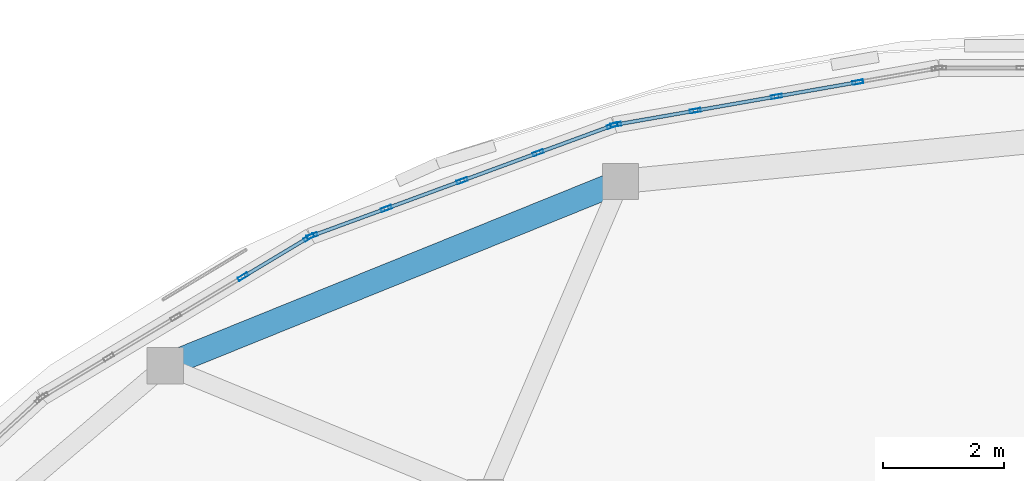
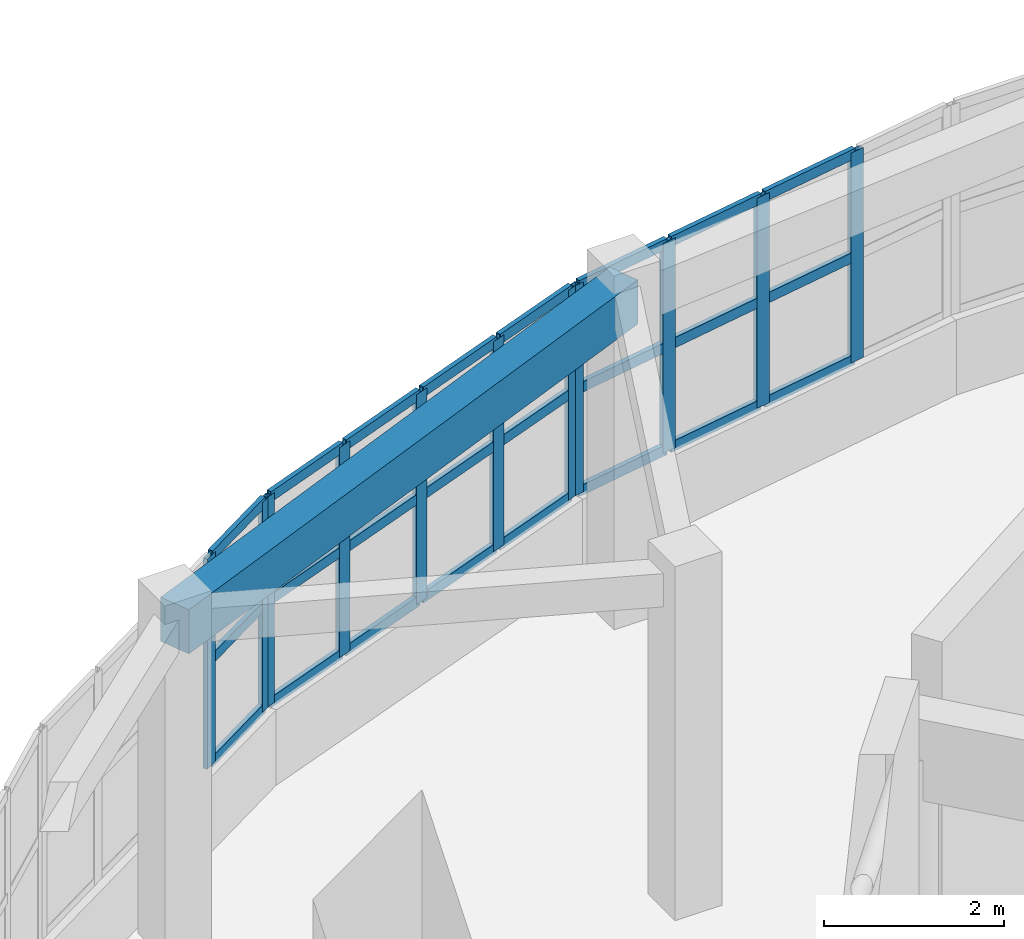
# One storey, part 31 of 69: 35 members, 1 beam, 3 elements without a shape of their own.
"""IFC4 building model written with IfcOpenShell, lengths in metres."""

from ifc_helpers import new_model, si_unit, direction, frame, origin, origin_2d, place, context, subcontext, project, spatial, rectangle, hollow_rectangle, extrude, material, layer, layer_set, material_profile, profile_set, type_object, element, aggregate, save


model = new_model("IFC4")

# Units and contexts
model_context = context("Model", 3, precision=1e-05, world=origin(), true_north=direction((0.0, 1.0)))
body_context = subcontext(model_context, "Body", "Model", "MODEL_VIEW")
ifc_project = project(units=[si_unit("LENGTHUNIT", "METRE"), si_unit("AREAUNIT", "SQUARE_METRE"), si_unit("VOLUMEUNIT", "CUBIC_METRE"), si_unit("PLANEANGLEUNIT", "RADIAN"), si_unit("MASSUNIT", "GRAM", prefix="KILO")], contexts=[model_context])

# Site, building, storey
site_placement = place(None, origin())
site = spatial("IfcSite", under=ifc_project, at=site_placement, CompositionType="ELEMENT")
building_placement = place(site_placement, origin())
building = spatial("IfcBuilding", under=site, at=building_placement, Name="Pelvatis Terrace Science Centre", CompositionType="ELEMENT")
storey_placement = place(building_placement, frame((0.0, 0.0, 15.0)))
storey = spatial("IfcBuildingStorey", under=building, at=storey_placement, Name="L03", CompositionType="ELEMENT", Elevation=15.0)

# Beam
ifc_material_1 = material(Name="Concrete C35/45", Category="concrete")
ifc_material_profile_1 = material_profile(ifc_material_1, rectangle(XDim=0.39990234375, YDim=0.60009765625, at=origin_2d()), Name="RC-BM 400x600")
ifc_profile_set_1 = profile_set([ifc_material_profile_1], Name="Concrete C35/45")
beam_type = type_object("IfcBeamType", Name="BM-RC-400x600", PredefinedType="BEAM", material=ifc_profile_set_1)
beam_placement = place(storey_placement, frame((102.095458984375, 103.65673828125, 4.25), z_axis=(-0.926974722929, -0.375123796967, 0.0), x_axis=(0.375123796967, -0.926974722929, 0.0)))
element("IfcBeam", 1, at=beam_placement, inside=storey, type_object=beam_type, Name="Beam BM-L03-3019", PredefinedType="BEAM", context=body_context, shape_type="SweptSolid", body=[
    extrude(rectangle(XDim=0.39990234375, YDim=0.60009765625, at=origin_2d()), origin(), (0.0, 0.0, 1.0), 8.11181640625),
])

# Curtain wall, members
ifc_material_2 = material(Name="Bronze-anodised aluminium and laminated glass", Category="aluminium")
ifc_layer = layer(ifc_material_2, 0.179931640625)
ifc_layer_set = layer_set([ifc_layer], Name="Bronze-anodised aluminium and laminated glass")
curtain_wall_type = type_object("IfcCurtainWallType", Name="CW-RIBBON-A", PredefinedType="NOTDEFINED", material=ifc_layer_set)
curtain_wall_1_placement = place(storey_placement, origin())
curtain_wall_1 = element("IfcCurtainWall", 2, at=curtain_wall_1_placement, inside=storey, type_object=curtain_wall_type, Name="Ribbon curtain wall CW-191 (L03)", PredefinedType="NOTDEFINED")
ifc_material_3 = material(Name="Bronze-anodised aluminium 6063-T6", Category="aluminium")
ifc_material_profile_2 = material_profile(ifc_material_3, hollow_rectangle(XDim=0.06005859375, YDim=0.179931640625, WallThickness=0.00390625, at=origin_2d()), Name="ALU-MUL 60x180")
ifc_profile_set_2 = profile_set([ifc_material_profile_2], Name="Bronze-anodised aluminium 6063-T6")
member_type_1 = type_object("IfcMemberType", Name="CWM-60x180", PredefinedType="MULLION", material=ifc_profile_set_2)
member_1_placement = place(storey_placement, frame((106.01416015625, 105.296142578125, 1.02001953125), z_axis=(0.0, 0.0, 1.0), x_axis=(0.172671428067, -0.984979480969, 0.0)))
member_1 = element("IfcMember", 3, at=member_1_placement, type_object=member_type_1, Name="CW-191 mullion 2", PredefinedType="MULLION", context=body_context, shape_type="SweptSolid", body=[
    extrude(hollow_rectangle(XDim=0.06005859375, YDim=0.179931640625, WallThickness=0.00390625, at=origin_2d()), origin(), (0.0, 0.0, 1.0), 2.85009765625),
])
member_2_placement = place(storey_placement, frame((104.672119140625, 105.060791015625, 1.02001953125), z_axis=(0.0, 0.0, 1.0), x_axis=(0.172671428067, -0.984979480969, 0.0)))
member_2 = element("IfcMember", 4, at=member_2_placement, type_object=member_type_1, Name="CW-191 mullion 3", PredefinedType="MULLION", context=body_context, shape_type="SweptSolid", body=[
    extrude(hollow_rectangle(XDim=0.06005859375, YDim=0.179931640625, WallThickness=0.00390625, at=origin_2d()), origin(), (0.0, 0.0, 1.0), 2.85009765625),
])
member_3_placement = place(storey_placement, frame((103.330322265625, 104.82568359375, 1.02001953125), z_axis=(0.0, 0.0, 1.0), x_axis=(0.172671428067, -0.984979480969, 0.0)))
member_3 = element("IfcMember", 5, at=member_3_placement, type_object=member_type_1, Name="CW-191 mullion 4", PredefinedType="MULLION", context=body_context, shape_type="SweptSolid", body=[
    extrude(hollow_rectangle(XDim=0.06005859375, YDim=0.179931640625, WallThickness=0.00390625, at=origin_2d()), origin(), (0.0, 0.0, 1.0), 2.85009765625),
])
member_4_placement = place(storey_placement, frame((102.017822265625, 104.595458984375, 1.02001953125), z_axis=(0.0, 0.0, 1.0), x_axis=(0.172671428067, -0.984979480969, 0.0)))
member_4 = element("IfcMember", 6, at=member_4_placement, type_object=member_type_1, Name="CW-191 mullion 5", PredefinedType="MULLION", context=body_context, shape_type="SweptSolid", body=[
    extrude(hollow_rectangle(XDim=0.06005859375, YDim=0.179931640625, WallThickness=0.00390625, at=origin_2d()), origin(), (0.0, 0.0, 1.0), 2.85009765625),
])

curtain_wall_2_placement = place(storey_placement, origin())
curtain_wall_2 = element("IfcCurtainWall", 7, at=curtain_wall_2_placement, inside=storey, type_object=curtain_wall_type, Name="Ribbon curtain wall CW-192 (L03)", PredefinedType="NOTDEFINED")
member_5_placement = place(storey_placement, frame((101.960205078125, 104.580078125, 1.02001953125), z_axis=(0.0, 0.0, 1.0), x_axis=(0.34471510549, -0.938707353783, 0.0)))
member_5 = element("IfcMember", 8, at=member_5_placement, type_object=member_type_1, Name="CW-192 mullion 1", PredefinedType="MULLION", context=body_context, shape_type="SweptSolid", body=[
    extrude(hollow_rectangle(XDim=0.06005859375, YDim=0.179931640625, WallThickness=0.00390625, at=origin_2d()), origin(), (0.0, 0.0, 1.0), 2.85009765625),
])
member_6_placement = place(storey_placement, frame((100.73486328125, 104.130126953125, 1.02001953125), z_axis=(0.0, 0.0, 1.0), x_axis=(0.34471510549, -0.938707353783, 0.0)))
member_6 = element("IfcMember", 9, at=member_6_placement, type_object=member_type_1, Name="CW-192 mullion 2", PredefinedType="MULLION", context=body_context, shape_type="SweptSolid", body=[
    extrude(hollow_rectangle(XDim=0.06005859375, YDim=0.179931640625, WallThickness=0.00390625, at=origin_2d()), origin(), (0.0, 0.0, 1.0), 2.85009765625),
])
member_7_placement = place(storey_placement, frame((99.481689453125, 103.669921875, 1.02001953125), z_axis=(0.0, 0.0, 1.0), x_axis=(0.34471510549, -0.938707353783, 0.0)))
member_7 = element("IfcMember", 10, at=member_7_placement, type_object=member_type_1, Name="CW-192 mullion 3", PredefinedType="MULLION", context=body_context, shape_type="SweptSolid", body=[
    extrude(hollow_rectangle(XDim=0.06005859375, YDim=0.179931640625, WallThickness=0.00390625, at=origin_2d()), origin(), (0.0, 0.0, 1.0), 2.85009765625),
])
member_8_placement = place(storey_placement, frame((98.228271484375, 103.209716796875, 1.02001953125), z_axis=(0.0, 0.0, 1.0), x_axis=(0.34471510549, -0.938707353783, 0.0)))
member_8 = element("IfcMember", 11, at=member_8_placement, type_object=member_type_1, Name="CW-192 mullion 4", PredefinedType="MULLION", context=body_context, shape_type="SweptSolid", body=[
    extrude(hollow_rectangle(XDim=0.06005859375, YDim=0.179931640625, WallThickness=0.00390625, at=origin_2d()), origin(), (0.0, 0.0, 1.0), 2.85009765625),
])
member_9_placement = place(storey_placement, frame((97.003173828125, 102.759765625, 1.02001953125), z_axis=(0.0, 0.0, 1.0), x_axis=(0.34471510549, -0.938707353783, 0.0)))
member_9 = element("IfcMember", 12, at=member_9_placement, type_object=member_type_1, Name="CW-192 mullion 5", PredefinedType="MULLION", context=body_context, shape_type="SweptSolid", body=[
    extrude(hollow_rectangle(XDim=0.06005859375, YDim=0.179931640625, WallThickness=0.00390625, at=origin_2d()), origin(), (0.0, 0.0, 1.0), 2.85009765625),
])

curtain_wall_3_placement = place(storey_placement, origin())
curtain_wall_3 = element("IfcCurtainWall", 13, at=curtain_wall_3_placement, inside=storey, type_object=curtain_wall_type, Name="Ribbon curtain wall CW-193 (L03)", PredefinedType="NOTDEFINED")
member_10_placement = place(storey_placement, frame((96.94921875, 102.73388671875, 1.02001953125), z_axis=(0.0, 0.0, 1.0), x_axis=(0.51399559594, -0.857792823096, 0.0)))
member_10 = element("IfcMember", 14, at=member_10_placement, type_object=member_type_1, Name="CW-193 mullion 1", PredefinedType="MULLION", context=body_context, shape_type="SweptSolid", body=[
    extrude(hollow_rectangle(XDim=0.06005859375, YDim=0.179931640625, WallThickness=0.00390625, at=origin_2d()), origin(), (0.0, 0.0, 1.0), 2.85009765625),
])
member_11_placement = place(storey_placement, frame((95.864990234375, 102.084228515625, 1.02001953125), z_axis=(0.0, 0.0, 1.0), x_axis=(0.51399559594, -0.857792823096, 0.0)))
member_11 = element("IfcMember", 15, at=member_11_placement, type_object=member_type_1, Name="CW-193 mullion 2", PredefinedType="MULLION", context=body_context, shape_type="SweptSolid", body=[
    extrude(hollow_rectangle(XDim=0.06005859375, YDim=0.179931640625, WallThickness=0.00390625, at=origin_2d()), origin(), (0.0, 0.0, 1.0), 2.85009765625),
])

# Member
ifc_material_4 = material(Name="Bronze-anodised aluminium 6063-T6", Category="aluminium")
ifc_material_profile_3 = material_profile(ifc_material_4, hollow_rectangle(XDim=0.06005859375, YDim=0.139892578125, WallThickness=0.00390625, at=origin_2d()), Name="ALU-TRN 60x140")
ifc_profile_set_3 = profile_set([ifc_material_profile_3], Name="Bronze-anodised aluminium 6063-T6")
member_type_2 = type_object("IfcMemberType", Name="CWT-60x140", PredefinedType="USERDEFINED", material=ifc_profile_set_3)
member_12_placement = place(storey_placement, frame((105.984619140625, 105.291015625, 1.050048828125), z_axis=(-0.984986673358, -0.172630395083, 0.0), x_axis=(0.172630395083, -0.984986673358, 0.0)))
member_12 = element("IfcMember", 16, at=member_12_placement, type_object=member_type_2, Name="CW-191 transom 2.1", ObjectType="TRANSOM", PredefinedType="USERDEFINED", context=body_context, shape_type="SweptSolid", body=[
    extrude(hollow_rectangle(XDim=0.06005859375, YDim=0.139892578125, WallThickness=0.00390625, at=origin_2d()), origin(), (0.0, 0.0, 1.0), 1.302490234375),
])

member_13_placement = place(storey_placement, frame((105.984619140625, 105.291015625, 2.445068359375), z_axis=(-0.984986673358, -0.172630395083, 0.0), x_axis=(0.172630395083, -0.984986673358, 0.0)))
member_13 = element("IfcMember", 17, at=member_13_placement, type_object=member_type_2, Name="CW-191 transom 2.2", ObjectType="TRANSOM", PredefinedType="USERDEFINED", context=body_context, shape_type="SweptSolid", body=[
    extrude(hollow_rectangle(XDim=0.06005859375, YDim=0.139892578125, WallThickness=0.00390625, at=origin_2d()), origin(), (0.0, 0.0, 1.0), 1.302490234375),
])

member_14_placement = place(storey_placement, frame((105.984619140625, 105.291015625, 3.840087890625), z_axis=(-0.984986673358, -0.172630395083, 0.0), x_axis=(0.172630395083, -0.984986673358, 0.0)))
member_14 = element("IfcMember", 18, at=member_14_placement, type_object=member_type_2, Name="CW-191 transom 2.3", ObjectType="TRANSOM", PredefinedType="USERDEFINED", context=body_context, shape_type="SweptSolid", body=[
    extrude(hollow_rectangle(XDim=0.06005859375, YDim=0.139892578125, WallThickness=0.00390625, at=origin_2d()), origin(), (0.0, 0.0, 1.0), 1.302490234375),
])

member_15_placement = place(storey_placement, frame((104.642578125, 105.0556640625, 1.050048828125), z_axis=(-0.984981085924, -0.17266227258, 0.0), x_axis=(0.17266227258, -0.984981085924, 0.0)))
member_15 = element("IfcMember", 19, at=member_15_placement, type_object=member_type_2, Name="CW-191 transom 3.1", ObjectType="TRANSOM", PredefinedType="USERDEFINED", context=body_context, shape_type="SweptSolid", body=[
    extrude(hollow_rectangle(XDim=0.06005859375, YDim=0.139892578125, WallThickness=0.00390625, at=origin_2d()), origin(), (0.0, 0.0, 1.0), 1.30224609375),
])

member_16_placement = place(storey_placement, frame((104.642578125, 105.0556640625, 2.445068359375), z_axis=(-0.984981085924, -0.17266227258, 0.0), x_axis=(0.17266227258, -0.984981085924, 0.0)))
member_16 = element("IfcMember", 20, at=member_16_placement, type_object=member_type_2, Name="CW-191 transom 3.2", ObjectType="TRANSOM", PredefinedType="USERDEFINED", context=body_context, shape_type="SweptSolid", body=[
    extrude(hollow_rectangle(XDim=0.06005859375, YDim=0.139892578125, WallThickness=0.00390625, at=origin_2d()), origin(), (0.0, 0.0, 1.0), 1.30224609375),
])

member_17_placement = place(storey_placement, frame((104.642578125, 105.0556640625, 3.840087890625), z_axis=(-0.984981085924, -0.17266227258, 0.0), x_axis=(0.17266227258, -0.984981085924, 0.0)))
member_17 = element("IfcMember", 21, at=member_17_placement, type_object=member_type_2, Name="CW-191 transom 3.3", ObjectType="TRANSOM", PredefinedType="USERDEFINED", context=body_context, shape_type="SweptSolid", body=[
    extrude(hollow_rectangle(XDim=0.06005859375, YDim=0.139892578125, WallThickness=0.00390625, at=origin_2d()), origin(), (0.0, 0.0, 1.0), 1.30224609375),
])

member_18_placement = place(storey_placement, frame((103.30078125, 104.820556640625, 1.050048828125), z_axis=(-0.984979930801, -0.172668862042, 0.0), x_axis=(0.172668862042, -0.984979930801, 0.0)))
member_18 = element("IfcMember", 22, at=member_18_placement, type_object=member_type_2, Name="CW-191 transom 4.1", ObjectType="TRANSOM", PredefinedType="USERDEFINED", context=body_context, shape_type="SweptSolid", body=[
    extrude(hollow_rectangle(XDim=0.06005859375, YDim=0.139892578125, WallThickness=0.00390625, at=origin_2d()), origin(), (0.0, 0.0, 1.0), 1.2724609375),
])

member_19_placement = place(storey_placement, frame((103.30078125, 104.820556640625, 2.445068359375), z_axis=(-0.984979930801, -0.172668862042, 0.0), x_axis=(0.172668862042, -0.984979930801, 0.0)))
member_19 = element("IfcMember", 23, at=member_19_placement, type_object=member_type_2, Name="CW-191 transom 4.2", ObjectType="TRANSOM", PredefinedType="USERDEFINED", context=body_context, shape_type="SweptSolid", body=[
    extrude(hollow_rectangle(XDim=0.06005859375, YDim=0.139892578125, WallThickness=0.00390625, at=origin_2d()), origin(), (0.0, 0.0, 1.0), 1.2724609375),
])

member_20_placement = place(storey_placement, frame((103.30078125, 104.820556640625, 3.840087890625), z_axis=(-0.984979930801, -0.172668862042, 0.0), x_axis=(0.172668862042, -0.984979930801, 0.0)))
member_20 = element("IfcMember", 24, at=member_20_placement, type_object=member_type_2, Name="CW-191 transom 4.3", ObjectType="TRANSOM", PredefinedType="USERDEFINED", context=body_context, shape_type="SweptSolid", body=[
    extrude(hollow_rectangle(XDim=0.06005859375, YDim=0.139892578125, WallThickness=0.00390625, at=origin_2d()), origin(), (0.0, 0.0, 1.0), 1.2724609375),
])

aggregate(curtain_wall_1, [member_1, member_2, member_3, member_4, member_12, member_13, member_14, member_15, member_16, member_17, member_18, member_19, member_20])

member_21_placement = place(storey_placement, frame((101.931884765625, 104.56982421875, 1.050048828125), z_axis=(-0.938637375111, -0.344905607441, 0.0), x_axis=(0.344905607441, -0.938637375111, 0.0)))
member_21 = element("IfcMember", 25, at=member_21_placement, type_object=member_type_2, Name="CW-192 transom 1.1", ObjectType="TRANSOM", PredefinedType="USERDEFINED", context=body_context, shape_type="SweptSolid", body=[
    extrude(hollow_rectangle(XDim=0.06005859375, YDim=0.139892578125, WallThickness=0.00390625, at=origin_2d()), origin(), (0.0, 0.0, 1.0), 1.2451171875),
])

member_22_placement = place(storey_placement, frame((101.931884765625, 104.56982421875, 2.445068359375), z_axis=(-0.938637375111, -0.344905607441, 0.0), x_axis=(0.344905607441, -0.938637375111, 0.0)))
member_22 = element("IfcMember", 26, at=member_22_placement, type_object=member_type_2, Name="CW-192 transom 1.2", ObjectType="TRANSOM", PredefinedType="USERDEFINED", context=body_context, shape_type="SweptSolid", body=[
    extrude(hollow_rectangle(XDim=0.06005859375, YDim=0.139892578125, WallThickness=0.00390625, at=origin_2d()), origin(), (0.0, 0.0, 1.0), 1.2451171875),
])

member_23_placement = place(storey_placement, frame((101.931884765625, 104.56982421875, 3.840087890625), z_axis=(-0.938637375111, -0.344905607441, 0.0), x_axis=(0.344905607441, -0.938637375111, 0.0)))
member_23 = element("IfcMember", 27, at=member_23_placement, type_object=member_type_2, Name="CW-192 transom 1.3", ObjectType="TRANSOM", PredefinedType="USERDEFINED", context=body_context, shape_type="SweptSolid", body=[
    extrude(hollow_rectangle(XDim=0.06005859375, YDim=0.139892578125, WallThickness=0.00390625, at=origin_2d()), origin(), (0.0, 0.0, 1.0), 1.2451171875),
])

member_24_placement = place(storey_placement, frame((100.706787109375, 104.119873046875, 1.050048828125), z_axis=(-0.938676082456, -0.344800249746, 0.0), x_axis=(0.344800249746, -0.938676082456, 0.0)))
member_24 = element("IfcMember", 28, at=member_24_placement, type_object=member_type_2, Name="CW-192 transom 2.1", ObjectType="TRANSOM", PredefinedType="USERDEFINED", context=body_context, shape_type="SweptSolid", body=[
    extrude(hollow_rectangle(XDim=0.06005859375, YDim=0.139892578125, WallThickness=0.00390625, at=origin_2d()), origin(), (0.0, 0.0, 1.0), 1.275146484375),
])

member_25_placement = place(storey_placement, frame((100.706787109375, 104.119873046875, 2.445068359375), z_axis=(-0.938676082456, -0.344800249746, 0.0), x_axis=(0.344800249746, -0.938676082456, 0.0)))
member_25 = element("IfcMember", 29, at=member_25_placement, type_object=member_type_2, Name="CW-192 transom 2.2", ObjectType="TRANSOM", PredefinedType="USERDEFINED", context=body_context, shape_type="SweptSolid", body=[
    extrude(hollow_rectangle(XDim=0.06005859375, YDim=0.139892578125, WallThickness=0.00390625, at=origin_2d()), origin(), (0.0, 0.0, 1.0), 1.275146484375),
])

member_26_placement = place(storey_placement, frame((100.706787109375, 104.119873046875, 3.840087890625), z_axis=(-0.938676082456, -0.344800249746, 0.0), x_axis=(0.344800249746, -0.938676082456, 0.0)))
member_26 = element("IfcMember", 30, at=member_26_placement, type_object=member_type_2, Name="CW-192 transom 2.3", ObjectType="TRANSOM", PredefinedType="USERDEFINED", context=body_context, shape_type="SweptSolid", body=[
    extrude(hollow_rectangle(XDim=0.06005859375, YDim=0.139892578125, WallThickness=0.00390625, at=origin_2d()), origin(), (0.0, 0.0, 1.0), 1.275146484375),
])

member_27_placement = place(storey_placement, frame((99.453369140625, 103.65966796875, 1.050048828125), z_axis=(-0.938653315442, -0.344862223809, 0.0), x_axis=(0.344862223809, -0.938653315442, 0.0)))
member_27 = element("IfcMember", 31, at=member_27_placement, type_object=member_type_2, Name="CW-192 transom 3.1", ObjectType="TRANSOM", PredefinedType="USERDEFINED", context=body_context, shape_type="SweptSolid", body=[
    extrude(hollow_rectangle(XDim=0.06005859375, YDim=0.139892578125, WallThickness=0.00390625, at=origin_2d()), origin(), (0.0, 0.0, 1.0), 1.27490234375),
])

member_28_placement = place(storey_placement, frame((99.453369140625, 103.65966796875, 2.445068359375), z_axis=(-0.938653315442, -0.344862223809, 0.0), x_axis=(0.344862223809, -0.938653315442, 0.0)))
member_28 = element("IfcMember", 32, at=member_28_placement, type_object=member_type_2, Name="CW-192 transom 3.2", ObjectType="TRANSOM", PredefinedType="USERDEFINED", context=body_context, shape_type="SweptSolid", body=[
    extrude(hollow_rectangle(XDim=0.06005859375, YDim=0.139892578125, WallThickness=0.00390625, at=origin_2d()), origin(), (0.0, 0.0, 1.0), 1.27490234375),
])

member_29_placement = place(storey_placement, frame((99.453369140625, 103.65966796875, 3.840087890625), z_axis=(-0.938653315442, -0.344862223809, 0.0), x_axis=(0.344862223809, -0.938653315442, 0.0)))
member_29 = element("IfcMember", 33, at=member_29_placement, type_object=member_type_2, Name="CW-192 transom 3.3", ObjectType="TRANSOM", PredefinedType="USERDEFINED", context=body_context, shape_type="SweptSolid", body=[
    extrude(hollow_rectangle(XDim=0.06005859375, YDim=0.139892578125, WallThickness=0.00390625, at=origin_2d()), origin(), (0.0, 0.0, 1.0), 1.27490234375),
])

member_30_placement = place(storey_placement, frame((98.2001953125, 103.19921875, 1.050048828125), z_axis=(-0.938724140353, -0.344669389879, 0.0), x_axis=(0.344669389879, -0.938724140353, 0.0)))
member_30 = element("IfcMember", 34, at=member_30_placement, type_object=member_type_2, Name="CW-192 transom 4.1", ObjectType="TRANSOM", PredefinedType="USERDEFINED", context=body_context, shape_type="SweptSolid", body=[
    extrude(hollow_rectangle(XDim=0.06005859375, YDim=0.139892578125, WallThickness=0.00390625, at=origin_2d()), origin(), (0.0, 0.0, 1.0), 1.245361328125),
])

member_31_placement = place(storey_placement, frame((98.2001953125, 103.19921875, 2.445068359375), z_axis=(-0.938724140353, -0.344669389879, 0.0), x_axis=(0.344669389879, -0.938724140353, 0.0)))
member_31 = element("IfcMember", 35, at=member_31_placement, type_object=member_type_2, Name="CW-192 transom 4.2", ObjectType="TRANSOM", PredefinedType="USERDEFINED", context=body_context, shape_type="SweptSolid", body=[
    extrude(hollow_rectangle(XDim=0.06005859375, YDim=0.139892578125, WallThickness=0.00390625, at=origin_2d()), origin(), (0.0, 0.0, 1.0), 1.245361328125),
])

member_32_placement = place(storey_placement, frame((98.2001953125, 103.19921875, 3.840087890625), z_axis=(-0.938724140353, -0.344669389879, 0.0), x_axis=(0.344669389879, -0.938724140353, 0.0)))
member_32 = element("IfcMember", 36, at=member_32_placement, type_object=member_type_2, Name="CW-192 transom 4.3", ObjectType="TRANSOM", PredefinedType="USERDEFINED", context=body_context, shape_type="SweptSolid", body=[
    extrude(hollow_rectangle(XDim=0.06005859375, YDim=0.139892578125, WallThickness=0.00390625, at=origin_2d()), origin(), (0.0, 0.0, 1.0), 1.245361328125),
])

aggregate(curtain_wall_2, [member_5, member_6, member_7, member_8, member_9, member_21, member_22, member_23, member_24, member_25, member_26, member_27, member_28, member_29, member_30, member_31, member_32])

member_33_placement = place(storey_placement, frame((96.923583984375, 102.718505859375, 1.050048828125), z_axis=(-0.857850603365, -0.513899155775, 0.0), x_axis=(0.513899155775, -0.857850603365, 0.0)))
member_33 = element("IfcMember", 37, at=member_33_placement, type_object=member_type_2, Name="CW-193 transom 1.1", ObjectType="TRANSOM", PredefinedType="USERDEFINED", context=body_context, shape_type="SweptSolid", body=[
    extrude(hollow_rectangle(XDim=0.06005859375, YDim=0.139892578125, WallThickness=0.00390625, at=origin_2d()), origin(), (0.0, 0.0, 1.0), 1.203857421875),
])

member_34_placement = place(storey_placement, frame((96.923583984375, 102.718505859375, 2.445068359375), z_axis=(-0.857850603365, -0.513899155775, 0.0), x_axis=(0.513899155775, -0.857850603365, 0.0)))
member_34 = element("IfcMember", 38, at=member_34_placement, type_object=member_type_2, Name="CW-193 transom 1.2", ObjectType="TRANSOM", PredefinedType="USERDEFINED", context=body_context, shape_type="SweptSolid", body=[
    extrude(hollow_rectangle(XDim=0.06005859375, YDim=0.139892578125, WallThickness=0.00390625, at=origin_2d()), origin(), (0.0, 0.0, 1.0), 1.203857421875),
])

member_35_placement = place(storey_placement, frame((96.923583984375, 102.718505859375, 3.840087890625), z_axis=(-0.857850603365, -0.513899155775, 0.0), x_axis=(0.513899155775, -0.857850603365, 0.0)))
member_35 = element("IfcMember", 39, at=member_35_placement, type_object=member_type_2, Name="CW-193 transom 1.3", ObjectType="TRANSOM", PredefinedType="USERDEFINED", context=body_context, shape_type="SweptSolid", body=[
    extrude(hollow_rectangle(XDim=0.06005859375, YDim=0.139892578125, WallThickness=0.00390625, at=origin_2d()), origin(), (0.0, 0.0, 1.0), 1.203857421875),
])

aggregate(curtain_wall_3, [member_10, member_11, member_33, member_34, member_35])

save(model, "model.ifc")
